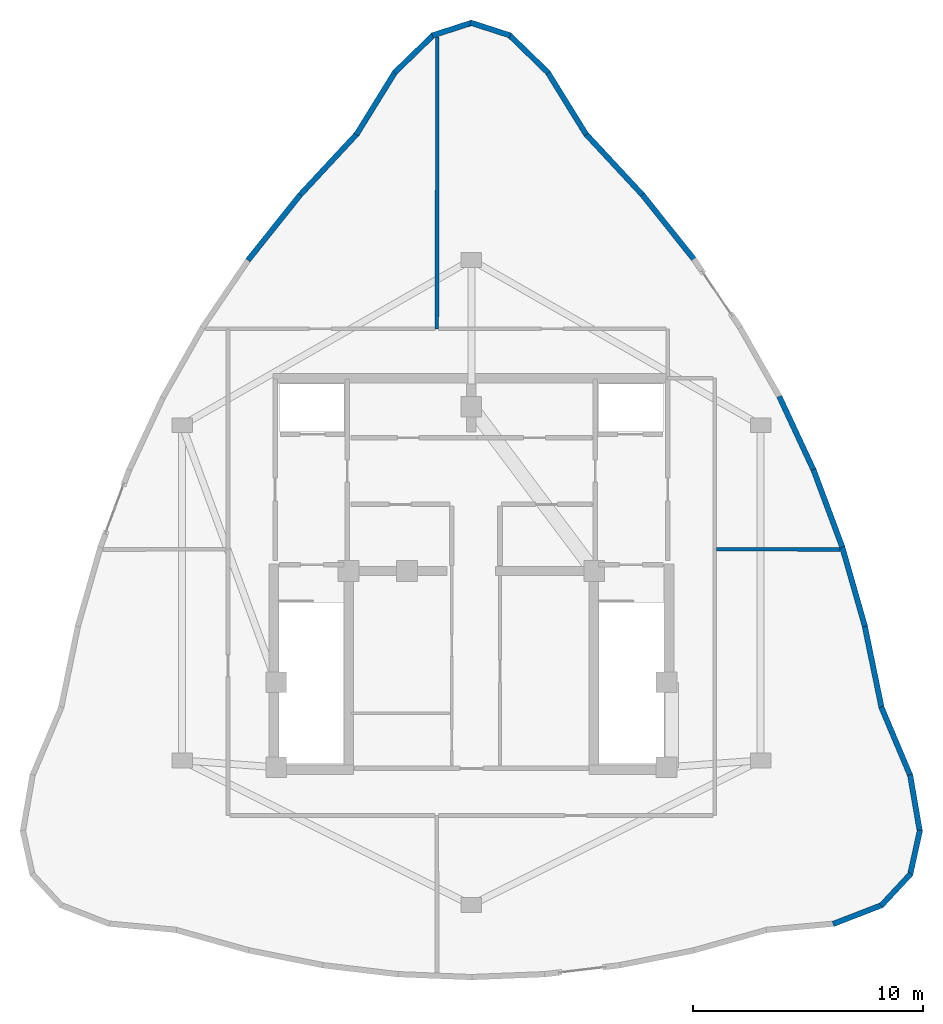
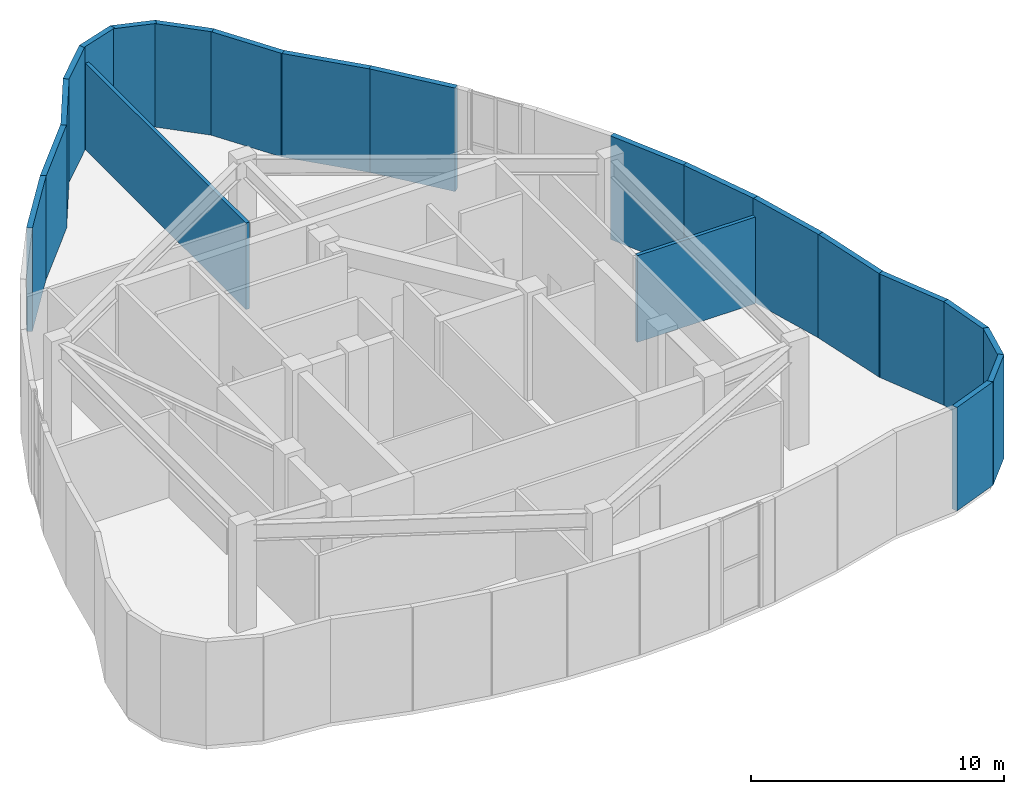
# One storey, part 11 of 12: 21 walls.
"""IFC4 building model written with IfcOpenShell, lengths in metres."""

from ifc_helpers import new_model, si_unit, direction, frame, frame_2d, origin, place, context, subcontext, project, spatial, rectangle, extrude, material, layer, layer_set, type_object, element, save


model = new_model("IFC4")

# Units and contexts
model_context = context("Model", 3, precision=1e-05, world=origin(), true_north=direction((0.0, 1.0)))
body_context = subcontext(model_context, "Body", "Model", "MODEL_VIEW")
ifc_project = project(units=[si_unit("LENGTHUNIT", "METRE"), si_unit("AREAUNIT", "SQUARE_METRE"), si_unit("VOLUMEUNIT", "CUBIC_METRE"), si_unit("PLANEANGLEUNIT", "RADIAN"), si_unit("MASSUNIT", "GRAM", prefix="KILO")], contexts=[model_context])

# Site, building, storey
site_placement = place(None, origin())
site = spatial("IfcSite", under=ifc_project, at=site_placement, CompositionType="ELEMENT")
building_placement = place(site_placement, origin())
building = spatial("IfcBuilding", under=site, at=building_placement, Name="Miruveldt Soraemaru", CompositionType="ELEMENT")
storey_placement = place(building_placement, frame((0.0, 0.0, 312.800048828125)))
storey = spatial("IfcBuildingStorey", under=building, at=storey_placement, Name="L82", CompositionType="ELEMENT", Elevation=312.800048828125)

# Walls
ifc_material_1 = material(Name="Precast concrete C45/55 (45 MPa)", Category="concrete")
ifc_layer_1 = layer(ifc_material_1, 0.239990234375, Name="Precast concrete C45/55 (45 MPa)", Category="concrete")
ifc_layer_set_1 = layer_set([ifc_layer_1], Name="Precast concrete C45/55 (45 MPa)")
wall_type_1 = type_object("IfcWallType", Name="WALL-EXT-PC240", PredefinedType="SOLIDWALL", material=ifc_layer_set_1)
wall_1_placement = place(storey_placement, frame((49.009521484375, 63.05615234375, 0.0), z_axis=(0.0, 0.0, 1.0), x_axis=(-0.526110187608, 0.850416410058, 0.0)))
element("IfcWall", 1, at=wall_1_placement, inside=storey, type_object=wall_type_1, Name="L82 Precast Concrete Facade Wall 1", PredefinedType="SOLIDWALL", context=body_context, shape_type="SweptSolid", body=[
    extrude(rectangle(XDim=3.232666015625, YDim=0.239990234375, at=frame_2d((1.6162109375, 0.0))), origin(), (0.0, 0.0, 1.0), 4.989990234375),
])
wall_2_placement = place(storey_placement, frame((47.352294921875, 65.7509765625, 0.0), z_axis=(0.0, 0.0, 1.0), x_axis=(-0.717711443968, 0.69634063733, 0.0)))
element("IfcWall", 2, at=wall_2_placement, inside=storey, type_object=wall_type_1, Name="L82 Precast Concrete Facade Wall 2", PredefinedType="SOLIDWALL", context=body_context, shape_type="SweptSolid", body=[
    extrude(rectangle(XDim=2.3876953125, YDim=0.239990234375, at=frame_2d((1.19384765625, 0.0))), origin(), (0.0, 0.0, 1.0), 4.989990234375),
])
for number, where, z_axis, x_axis, name in (
    (3, (45.697021484375, 67.37841796875, 0.0), (0.0, 0.0, 1.0), (-0.951517353151, 0.307595069292, 0.0), "L82 Precast Concrete Facade Wall 3"),
    (4, (44.033203125, 67.937744140625, 0.0), (0.0, 0.0, 1.0), (-0.951517353151, -0.307595069292, 0.0), "L82 Precast Concrete Facade Wall 4"),
):
    element("IfcWall", number, at=place(storey_placement, frame(where, z_axis=z_axis, x_axis=x_axis)), inside=storey, type_object=wall_type_1, Name=name, PredefinedType="SOLIDWALL", context=body_context, shape_type="SweptSolid", body=[
        extrude(rectangle(XDim=1.818359375, YDim=0.239990234375, at=frame_2d((0.9091796875, 0.0))), origin(), (0.0, 0.0, 1.0), 4.989990234375),
    ])
wall_3_placement = place(storey_placement, frame((42.361328125, 67.41357421875, 0.0), z_axis=(0.0, 0.0, 1.0), x_axis=(-0.717711443968, -0.69634063733, 0.0)))
element("IfcWall", 5, at=wall_3_placement, inside=storey, type_object=wall_type_1, Name="L82 Precast Concrete Facade Wall 5", PredefinedType="SOLIDWALL", context=body_context, shape_type="SweptSolid", body=[
    extrude(rectangle(XDim=2.3876953125, YDim=0.239990234375, at=frame_2d((1.19384765625, 0.0))), origin(), (0.0, 0.0, 1.0), 4.989990234375),
])
wall_4_placement = place(storey_placement, frame((40.691162109375, 65.80517578125, 0.0), z_axis=(0.0, 0.0, 1.0), x_axis=(-0.526110187608, -0.850416410058, 0.0)))
element("IfcWall", 6, at=wall_4_placement, inside=storey, type_object=wall_type_1, Name="L82 Precast Concrete Facade Wall 6", PredefinedType="SOLIDWALL", context=body_context, shape_type="SweptSolid", body=[
    extrude(rectangle(XDim=3.232666015625, YDim=0.239990234375, at=frame_2d((1.6162109375, 0.0))), origin(), (0.0, 0.0, 1.0), 4.989990234375),
])
wall_5_placement = place(storey_placement, frame((39.03271484375, 63.111572265625, 0.0), z_axis=(0.0, 0.0, 1.0), x_axis=(-0.68087147599, -0.732402917241, 0.0)))
element("IfcWall", 7, at=wall_5_placement, inside=storey, type_object=wall_type_1, Name="L82 Precast Concrete Facade Wall 7", PredefinedType="SOLIDWALL", context=body_context, shape_type="SweptSolid", body=[
    extrude(rectangle(XDim=3.718994140625, YDim=0.239990234375, at=frame_2d((1.859375, 0.0))), origin(), (0.0, 0.0, 1.0), 4.989990234375),
])
wall_6_placement = place(storey_placement, frame((36.546142578125, 60.440673828125, 0.0), z_axis=(0.0, 0.0, 1.0), x_axis=(-0.623626980574, -0.781722066402, 0.0)))
element("IfcWall", 8, at=wall_6_placement, inside=storey, type_object=wall_type_1, Name="L82 Precast Concrete Facade Wall 8", PredefinedType="SOLIDWALL", context=body_context, shape_type="SweptSolid", body=[
    extrude(rectangle(XDim=3.65380859375, YDim=0.239990234375, at=frame_2d((1.826904296875, 0.0))), origin(), (0.0, 0.0, 1.0), 4.989990234375),
])
wall_7_placement = place(storey_placement, frame((59.760009765625, 28.672119140625, 0.0), z_axis=(0.0, 0.0, 1.0), x_axis=(0.932269297358, 0.361765058019, 0.0)))
element("IfcWall", 9, at=wall_7_placement, inside=storey, type_object=wall_type_1, Name="L82 Precast Concrete Facade Wall 30", PredefinedType="SOLIDWALL", context=body_context, shape_type="SweptSolid", body=[
    extrude(rectangle(XDim=2.300537109375, YDim=0.239990234375, at=frame_2d((1.150390625, 0.0))), origin(), (0.0, 0.0, 1.0), 4.989990234375),
])
wall_8_placement = place(storey_placement, frame((61.848388671875, 29.466064453125, 0.0), z_axis=(0.0, 0.0, 1.0), x_axis=(0.680072395428, 0.733144963139, 0.0)))
element("IfcWall", 10, at=wall_8_placement, inside=storey, type_object=wall_type_1, Name="L82 Precast Concrete Facade Wall 31", PredefinedType="SOLIDWALL", context=body_context, shape_type="SweptSolid", body=[
    extrude(rectangle(XDim=1.904541015625, YDim=0.239990234375, at=frame_2d((0.9521484375, 0.0))), origin(), (0.0, 0.0, 1.0), 4.989990234375),
])
wall_9_placement = place(storey_placement, frame((63.1123046875, 30.80224609375, 0.0), z_axis=(0.0, 0.0, 1.0), x_axis=(0.215649526387, 0.976470829963, 0.0)))
element("IfcWall", 11, at=wall_9_placement, inside=storey, type_object=wall_type_1, Name="L82 Precast Concrete Facade Wall 32", PredefinedType="SOLIDWALL", context=body_context, shape_type="SweptSolid", body=[
    extrude(rectangle(XDim=1.998291015625, YDim=0.239990234375, at=frame_2d((0.9990234375, 0.0))), origin(), (0.0, 0.0, 1.0), 4.989990234375),
])
wall_10_placement = place(storey_placement, frame((63.54150390625, 32.6845703125, 0.0), z_axis=(0.0, 0.0, 1.0), x_axis=(-0.169240125324, 0.985574847477, 0.0)))
element("IfcWall", 12, at=wall_10_placement, inside=storey, type_object=wall_type_1, Name="L82 Precast Concrete Facade Wall 33", PredefinedType="SOLIDWALL", context=body_context, shape_type="SweptSolid", body=[
    extrude(rectangle(XDim=2.52587890625, YDim=0.239990234375, at=frame_2d((1.262939453125, 0.0))), origin(), (0.0, 0.0, 1.0), 4.989990234375),
])
wall_11_placement = place(storey_placement, frame((63.13330078125, 35.107421875, 0.0), z_axis=(0.0, 0.0, 1.0), x_axis=(-0.388622520849, 0.921397056805, 0.0)))
element("IfcWall", 13, at=wall_11_placement, inside=storey, type_object=wall_type_1, Name="L82 Precast Concrete Facade Wall 34", PredefinedType="SOLIDWALL", context=body_context, shape_type="SweptSolid", body=[
    extrude(rectangle(XDim=3.280517578125, YDim=0.239990234375, at=frame_2d((1.64013671875, 0.0))), origin(), (0.0, 0.0, 1.0), 4.989990234375),
])
wall_12_placement = place(storey_placement, frame((61.879150390625, 38.063720703125, 0.0), z_axis=(0.0, 0.0, 1.0), x_axis=(-0.201578837363, 0.979472292782, 0.0)))
element("IfcWall", 14, at=wall_12_placement, inside=storey, type_object=wall_type_1, Name="L82 Precast Concrete Facade Wall 35", PredefinedType="SOLIDWALL", context=body_context, shape_type="SweptSolid", body=[
    extrude(rectangle(XDim=3.719482421875, YDim=0.239990234375, at=frame_2d((1.85986328125, 0.0))), origin(), (0.0, 0.0, 1.0), 4.989990234375),
])
wall_13_placement = place(storey_placement, frame((61.14599609375, 41.638671875, 0.0), z_axis=(0.0, 0.0, 1.0), x_axis=(-0.274897629025, 0.961473501224, 0.0)))
element("IfcWall", 15, at=wall_13_placement, inside=storey, type_object=wall_type_1, Name="L82 Precast Concrete Facade Wall 36", PredefinedType="SOLIDWALL", context=body_context, shape_type="SweptSolid", body=[
    extrude(rectangle(XDim=3.65380859375, YDim=0.239990234375, at=frame_2d((1.826904296875, 0.0))), origin(), (0.0, 0.0, 1.0), 4.989990234375),
])
wall_14_placement = place(storey_placement, frame((60.163330078125, 45.085205078125, 0.0), z_axis=(0.0, 0.0, 1.0), x_axis=(-0.349054279873, 0.937102507574, 0.0)))
element("IfcWall", 16, at=wall_14_placement, inside=storey, type_object=wall_type_1, Name="L82 Precast Concrete Facade Wall 37", PredefinedType="SOLIDWALL", context=body_context, shape_type="SweptSolid", body=[
    extrude(rectangle(XDim=3.609130859375, YDim=0.239990234375, at=frame_2d((1.8046875, 0.0))), origin(), (0.0, 0.0, 1.0), 4.989990234375),
])
wall_15_placement = place(storey_placement, frame((58.9306640625, 48.40283203125, 0.0), z_axis=(0.0, 0.0, 1.0), x_axis=(-0.422322757118, 0.906445524464, 0.0)))
element("IfcWall", 17, at=wall_15_placement, inside=storey, type_object=wall_type_1, Name="L82 Precast Concrete Facade Wall 38", PredefinedType="SOLIDWALL", context=body_context, shape_type="SweptSolid", body=[
    extrude(rectangle(XDim=3.587158203125, YDim=0.239990234375, at=frame_2d((1.79345703125, 0.0))), origin(), (0.0, 0.0, 1.0), 4.989990234375),
])
wall_16_placement = place(storey_placement, frame((53.732421875, 57.58447265625, 0.0), z_axis=(0.0, 0.0, 1.0), x_axis=(-0.623626980574, 0.781722066402, 0.0)))
element("IfcWall", 18, at=wall_16_placement, inside=storey, type_object=wall_type_1, Name="L82 Precast Concrete Facade Wall 41", PredefinedType="SOLIDWALL", context=body_context, shape_type="SweptSolid", body=[
    extrude(rectangle(XDim=3.65380859375, YDim=0.239990234375, at=frame_2d((1.826904296875, 0.0))), origin(), (0.0, 0.0, 1.0), 4.989990234375),
])
wall_17_placement = place(storey_placement, frame((51.49951171875, 60.3876953125, 0.0), z_axis=(0.0, 0.0, 1.0), x_axis=(-0.68087147599, 0.732402917241, 0.0)))
element("IfcWall", 19, at=wall_17_placement, inside=storey, type_object=wall_type_1, Name="L82 Precast Concrete Facade Wall 42", PredefinedType="SOLIDWALL", context=body_context, shape_type="SweptSolid", body=[
    extrude(rectangle(XDim=3.718994140625, YDim=0.239990234375, at=frame_2d((1.859375, 0.0))), origin(), (0.0, 0.0, 1.0), 4.989990234375),
])
ifc_material_2 = material(Name="Concrete C40/50 (40 MPa)", Category="concrete")
ifc_layer_2 = layer(ifc_material_2, 0.159912109375, Name="Concrete C40/50 (40 MPa)", Category="concrete")
ifc_layer_set_2 = layer_set([ifc_layer_2], Name="Concrete C40/50 (40 MPa)")
wall_type_2 = type_object("IfcWallType", Name="WALL-INT-RC160", PredefinedType="SOLIDWALL", material=ifc_layer_set_2)
wall_18_placement = place(storey_placement, frame((42.5, 54.60009765625, 0.0), z_axis=(0.0, 0.0, 1.0), x_axis=(0.001345040384, 0.999999095433, 0.0)))
element("IfcWall", 20, at=wall_18_placement, inside=storey, type_object=wall_type_2, Name="L82 Partition Wall 14", PredefinedType="SOLIDWALL", context=body_context, shape_type="SweptSolid", body=[
    extrude(rectangle(XDim=12.705810546875, YDim=0.159912109375, at=frame_2d((6.35302734375, 0.0))), origin(), (0.0, 0.0, 1.0), 4.177978515625),
])
wall_19_placement = place(storey_placement, frame((60.049072265625, 44.985107421875, 0.0), z_axis=(0.0, 0.0, 1.0), x_axis=(-0.999996153217, 0.002773725234, 0.0)))
element("IfcWall", 21, at=wall_19_placement, inside=storey, type_object=wall_type_2, Name="L82 Partition Wall 13", PredefinedType="SOLIDWALL", context=body_context, shape_type="SweptSolid", body=[
    extrude(rectangle(XDim=5.369140625, YDim=0.159912109375, at=frame_2d((2.6845703125, 0.0))), origin(), (0.0, 0.0, 1.0), 4.177978515625),
])

save(model, "model.ifc")
